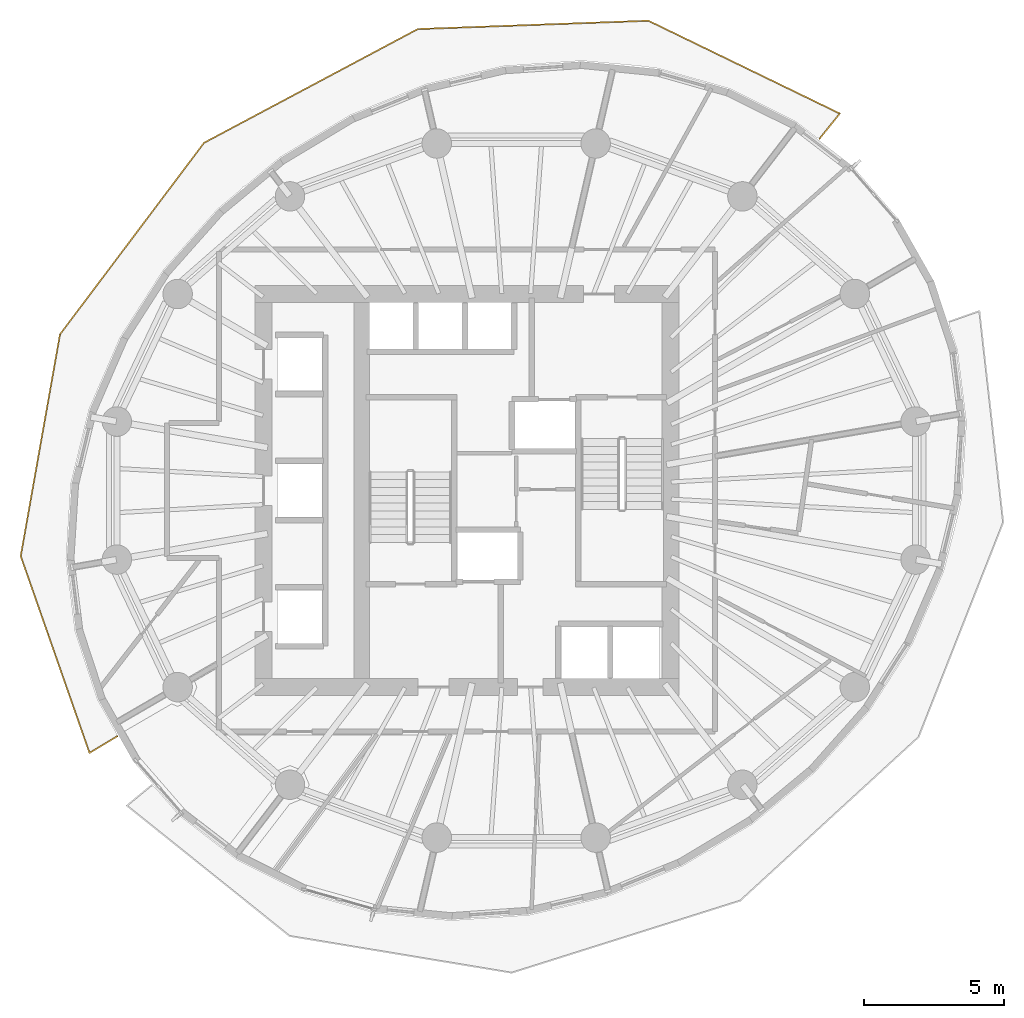
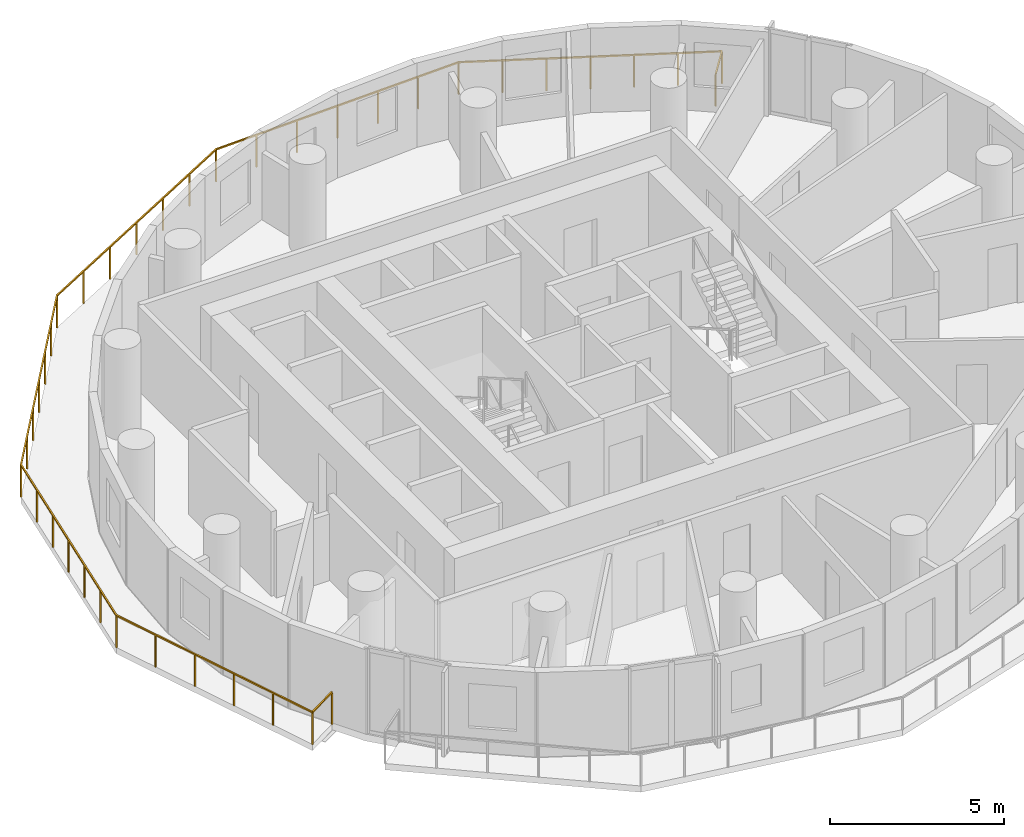
# One storey, part 11 of 12: 1 railing.
"""IFC4 building model written with IfcOpenShell, lengths in metres."""

from ifc_helpers import new_model, si_unit, direction, frame, origin, origin_2d, place, context, subcontext, project, spatial, rectangle, extrude, material, type_object, element, save


model = new_model("IFC4")

# Units and contexts
model_context = context("Model", 3, precision=1e-05, world=origin(), true_north=direction((0.0, 1.0)))
body_context = subcontext(model_context, "Body", "Model", "MODEL_VIEW")
ifc_project = project(units=[si_unit("LENGTHUNIT", "METRE"), si_unit("AREAUNIT", "SQUARE_METRE"), si_unit("VOLUMEUNIT", "CUBIC_METRE"), si_unit("PLANEANGLEUNIT", "RADIAN"), si_unit("MASSUNIT", "GRAM", prefix="KILO")], contexts=[model_context])

# Site, building, storey
site_placement = place(None, origin())
site = spatial("IfcSite", under=ifc_project, at=site_placement, CompositionType="ELEMENT")
building_placement = place(site_placement, origin())
building = spatial("IfcBuilding", under=site, at=building_placement, Name="Veldorim Arch Residences", CompositionType="ELEMENT")
storey_placement = place(building_placement, frame((0.0, 0.0, 145.760009765625)))
storey = spatial("IfcBuildingStorey", under=building, at=storey_placement, Name="L43", CompositionType="ELEMENT", Elevation=145.760009765625)

# Railing
ifc_material = material(Name="Aluminium", Category="aluminium")
railing_type = type_object("IfcRailingType", Name="Balcony & Terrace Laminated Glass Balustrade 1150", PredefinedType="BALUSTRADE", material=ifc_material)
railing_placement = place(storey_placement, frame((42.803955078125, 36.531005859375, 0.0)))
element("IfcRailing", 1, at=railing_placement, inside=storey, type_object=railing_type, Name="L43 crescent balcony safety balustrade A", PredefinedType="BALUSTRADE", context=body_context, shape_type="SweptSolid", body=[
    extrude(rectangle(XDim=0.048095703125, YDim=0.048095703125, at=origin_2d()), frame((0.0, 0.0, 1.1259765625), z_axis=(0.626298958503, 0.779582974787, 0.0), x_axis=(-0.779582974787, 0.626298958503, 0.0)), (0.0, 0.0, 1.0), 1.14990234375),
    extrude(rectangle(XDim=0.048095703125, YDim=0.048095703125, at=origin_2d()), frame((0.72021484375, 0.896484375, 1.1259765625), z_axis=(-0.89975046022, 0.436404754022, 0.0), x_axis=(-0.436404754022, -0.89975046022, 0.0)), (0.0, 0.0, 1.0), 7.575927734375),
    extrude(rectangle(XDim=0.048095703125, YDim=0.048095703125, at=origin_2d()), frame((-6.09619140625, 4.20263671875, 1.1259765625), z_axis=(-0.999346635953, -0.036142789181, 0.0), x_axis=(0.036142789181, -0.999346635953, 0.0)), (0.0, 0.0, 1.0), 8.220703125),
    extrude(rectangle(XDim=0.048095703125, YDim=0.048095703125, at=origin_2d()), frame((-14.3115234375, 3.905517578125, 1.1259765625), z_axis=(-0.882749221414, -0.469844455212, 0.0), x_axis=(0.469844455212, -0.882749221414, 0.0)), (0.0, 0.0, 1.0), 8.62255859375),
    extrude(rectangle(XDim=0.048095703125, YDim=0.048095703125, at=origin_2d()), frame((-21.923095703125, -0.145751953125, 1.1259765625), z_axis=(-0.601088899383, -0.799182166367, 0.0), x_axis=(0.799182166367, -0.601088899383, 0.0)), (0.0, 0.0, 1.0), 8.533447265625),
    extrude(rectangle(XDim=0.048095703125, YDim=0.048095703125, at=origin_2d()), frame((-27.052490234375, -6.965576171875, 1.1259765625), z_axis=(-0.174401799954, -0.98467457171, 0.0), x_axis=(0.98467457171, -0.174401799954, 0.0)), (0.0, 0.0, 1.0), 8.019775390625),
    extrude(rectangle(XDim=0.048095703125, YDim=0.048095703125, at=origin_2d()), frame((-28.451171875, -14.862548828125, 1.1259765625), z_axis=(0.329977122351, -0.943988929344, 0.0), x_axis=(0.943988929344, 0.329977122351, 0.0)), (0.0, 0.0, 1.0), 7.428955078125),
    extrude(rectangle(XDim=0.048095703125, YDim=0.048095703125, at=origin_2d()), frame((-25.999755859375, -21.87548828125, 1.1259765625), z_axis=(0.856554970004, 0.516055794815, 0.0), x_axis=(-0.516055794815, 0.856554970004, 0.0)), (0.0, 0.0, 1.0), 1.150146484375),
    extrude(rectangle(XDim=0.0419921875, YDim=0.0419921875, at=origin_2d()), origin(), (0.0, 0.0, 1.0), 1.101806640625),
    extrude(rectangle(XDim=0.0419921875, YDim=0.0419921875, at=origin_2d()), frame((0.72021484375, 0.896484375, 0.0)), (0.0, 0.0, 1.0), 1.101806640625),
    extrude(rectangle(XDim=0.0419921875, YDim=0.0419921875, at=origin_2d()), frame((-0.415771484375, 1.447509765625, 0.0)), (0.0, 0.0, 1.0), 1.101806640625),
    extrude(rectangle(XDim=0.0419921875, YDim=0.0419921875, at=origin_2d()), frame((-1.552001953125, 1.99853515625, 0.0)), (0.0, 0.0, 1.0), 1.101806640625),
    extrude(rectangle(XDim=0.0419921875, YDim=0.0419921875, at=origin_2d()), frame((-2.68798828125, 2.549560546875, 0.0)), (0.0, 0.0, 1.0), 1.101806640625),
    extrude(rectangle(XDim=0.0419921875, YDim=0.0419921875, at=origin_2d()), frame((-3.823974609375, 3.1005859375, 0.0)), (0.0, 0.0, 1.0), 1.101806640625),
    extrude(rectangle(XDim=0.0419921875, YDim=0.0419921875, at=origin_2d()), frame((-4.960205078125, 3.651611328125, 0.0)), (0.0, 0.0, 1.0), 1.101806640625),
    extrude(rectangle(XDim=0.0419921875, YDim=0.0419921875, at=origin_2d()), frame((-6.09619140625, 4.20263671875, 0.0)), (0.0, 0.0, 1.0), 1.101806640625),
    extrude(rectangle(XDim=0.0419921875, YDim=0.0419921875, at=origin_2d()), frame((-7.46533203125, 4.153076171875, 0.0)), (0.0, 0.0, 1.0), 1.101806640625),
    extrude(rectangle(XDim=0.0419921875, YDim=0.0419921875, at=origin_2d()), frame((-8.834716796875, 4.103515625, 0.0)), (0.0, 0.0, 1.0), 1.101806640625),
    extrude(rectangle(XDim=0.0419921875, YDim=0.0419921875, at=origin_2d()), frame((-10.203857421875, 4.05419921875, 0.0)), (0.0, 0.0, 1.0), 1.101806640625),
    extrude(rectangle(XDim=0.0419921875, YDim=0.0419921875, at=origin_2d()), frame((-11.572998046875, 4.004638671875, 0.0)), (0.0, 0.0, 1.0), 1.101806640625),
    extrude(rectangle(XDim=0.0419921875, YDim=0.0419921875, at=origin_2d()), frame((-12.9423828125, 3.955078125, 0.0)), (0.0, 0.0, 1.0), 1.101806640625),
    extrude(rectangle(XDim=0.0419921875, YDim=0.0419921875, at=origin_2d()), frame((-14.3115234375, 3.905517578125, 0.0)), (0.0, 0.0, 1.0), 1.101806640625),
    extrude(rectangle(XDim=0.0419921875, YDim=0.0419921875, at=origin_2d()), frame((-15.580078125, 3.230224609375, 0.0)), (0.0, 0.0, 1.0), 1.101806640625),
    extrude(rectangle(XDim=0.0419921875, YDim=0.0419921875, at=origin_2d()), frame((-16.8486328125, 2.55517578125, 0.0)), (0.0, 0.0, 1.0), 1.101806640625),
    extrude(rectangle(XDim=0.0419921875, YDim=0.0419921875, at=origin_2d()), frame((-18.1171875, 1.8798828125, 0.0)), (0.0, 0.0, 1.0), 1.101806640625),
    extrude(rectangle(XDim=0.0419921875, YDim=0.0419921875, at=origin_2d()), frame((-19.385986328125, 1.20458984375, 0.0)), (0.0, 0.0, 1.0), 1.101806640625),
    extrude(rectangle(XDim=0.0419921875, YDim=0.0419921875, at=origin_2d()), frame((-20.654541015625, 0.529541015625, 0.0)), (0.0, 0.0, 1.0), 1.101806640625),
    extrude(rectangle(XDim=0.0419921875, YDim=0.0419921875, at=origin_2d()), frame((-21.923095703125, -0.145751953125, 0.0)), (0.0, 0.0, 1.0), 1.101806640625),
    extrude(rectangle(XDim=0.0419921875, YDim=0.0419921875, at=origin_2d()), frame((-22.778076171875, -1.282470703125, 0.0)), (0.0, 0.0, 1.0), 1.101806640625),
    extrude(rectangle(XDim=0.0419921875, YDim=0.0419921875, at=origin_2d()), frame((-23.6328125, -2.4189453125, 0.0)), (0.0, 0.0, 1.0), 1.101806640625),
    extrude(rectangle(XDim=0.0419921875, YDim=0.0419921875, at=origin_2d()), frame((-24.48779296875, -3.5556640625, 0.0)), (0.0, 0.0, 1.0), 1.101806640625),
    extrude(rectangle(XDim=0.0419921875, YDim=0.0419921875, at=origin_2d()), frame((-25.3427734375, -4.6923828125, 0.0)), (0.0, 0.0, 1.0), 1.101806640625),
    extrude(rectangle(XDim=0.0419921875, YDim=0.0419921875, at=origin_2d()), frame((-26.197509765625, -5.828857421875, 0.0)), (0.0, 0.0, 1.0), 1.101806640625),
    extrude(rectangle(XDim=0.0419921875, YDim=0.0419921875, at=origin_2d()), frame((-27.052490234375, -6.965576171875, 0.0)), (0.0, 0.0, 1.0), 1.101806640625),
    extrude(rectangle(XDim=0.0419921875, YDim=0.0419921875, at=origin_2d()), frame((-27.28564453125, -8.28173828125, 0.0)), (0.0, 0.0, 1.0), 1.101806640625),
    extrude(rectangle(XDim=0.0419921875, YDim=0.0419921875, at=origin_2d()), frame((-27.518798828125, -9.597900390625, 0.0)), (0.0, 0.0, 1.0), 1.101806640625),
    extrude(rectangle(XDim=0.0419921875, YDim=0.0419921875, at=origin_2d()), frame((-27.751953125, -10.9140625, 0.0)), (0.0, 0.0, 1.0), 1.101806640625),
    extrude(rectangle(XDim=0.0419921875, YDim=0.0419921875, at=origin_2d()), frame((-27.98486328125, -12.230224609375, 0.0)), (0.0, 0.0, 1.0), 1.101806640625),
    extrude(rectangle(XDim=0.0419921875, YDim=0.0419921875, at=origin_2d()), frame((-28.218017578125, -13.54638671875, 0.0)), (0.0, 0.0, 1.0), 1.101806640625),
    extrude(rectangle(XDim=0.0419921875, YDim=0.0419921875, at=origin_2d()), frame((-28.451171875, -14.862548828125, 0.0)), (0.0, 0.0, 1.0), 1.101806640625),
    extrude(rectangle(XDim=0.0419921875, YDim=0.0419921875, at=origin_2d()), frame((-27.9609375, -16.26513671875, 0.0)), (0.0, 0.0, 1.0), 1.101806640625),
    extrude(rectangle(XDim=0.0419921875, YDim=0.0419921875, at=origin_2d()), frame((-27.470703125, -17.667724609375, 0.0)), (0.0, 0.0, 1.0), 1.101806640625),
    extrude(rectangle(XDim=0.0419921875, YDim=0.0419921875, at=origin_2d()), frame((-26.980224609375, -19.0703125, 0.0)), (0.0, 0.0, 1.0), 1.101806640625),
    extrude(rectangle(XDim=0.0419921875, YDim=0.0419921875, at=origin_2d()), frame((-26.489990234375, -20.472900390625, 0.0)), (0.0, 0.0, 1.0), 1.101806640625),
    extrude(rectangle(XDim=0.0419921875, YDim=0.0419921875, at=origin_2d()), frame((-25.999755859375, -21.87548828125, 0.0)), (0.0, 0.0, 1.0), 1.101806640625),
    extrude(rectangle(XDim=0.0419921875, YDim=0.0419921875, at=origin_2d()), frame((-25.0146484375, -21.281982421875, 0.0)), (0.0, 0.0, 1.0), 1.101806640625),
])

save(model, "model.ifc")
